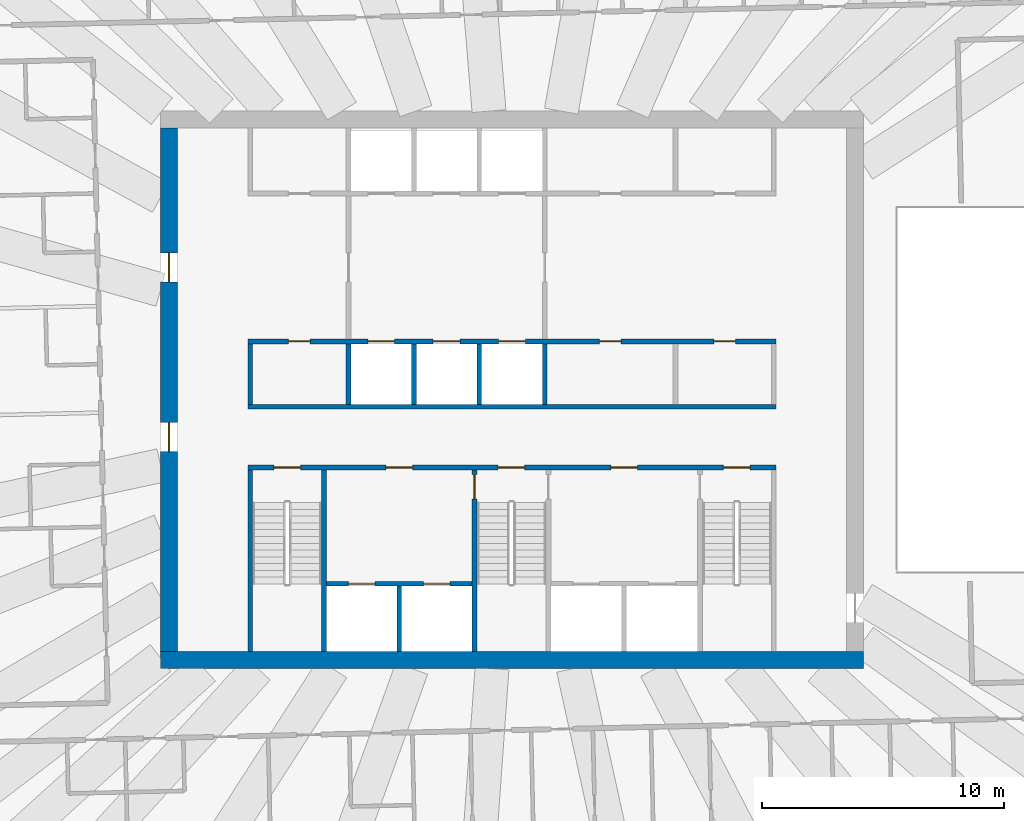
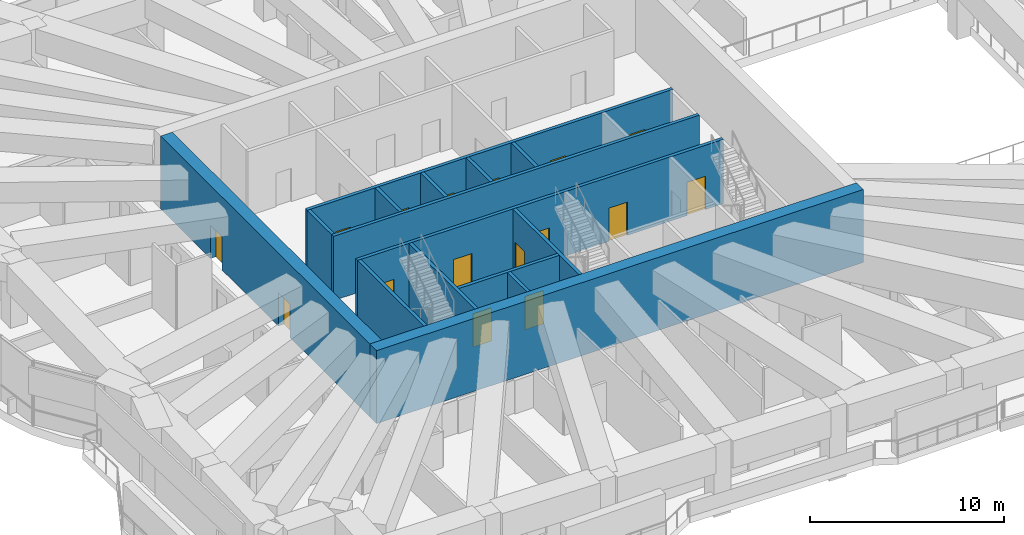
# One storey, part 12 of 21: 16 doors, 15 walls, 16 openings.
"""IFC4 building model written with IfcOpenShell, lengths in metres."""

from ifc_helpers import new_model, si_unit, direction, frame, frame_2d, origin, place, context, subcontext, project, spatial, rectangle, extrude, material, layer, layer_set, type_object, element, fill, save


model = new_model("IFC4")

# Units and contexts
model_context = context("Model", 3, precision=1e-05, world=origin(), true_north=direction((0.0, 1.0)))
body_context = subcontext(model_context, "Body", "Model", "MODEL_VIEW")
ifc_project = project(units=[si_unit("LENGTHUNIT", "METRE"), si_unit("AREAUNIT", "SQUARE_METRE"), si_unit("VOLUMEUNIT", "CUBIC_METRE"), si_unit("PLANEANGLEUNIT", "RADIAN"), si_unit("MASSUNIT", "GRAM", prefix="KILO")], contexts=[model_context])

# Site, building, storey
site_placement = place(None, origin())
site = spatial("IfcSite", under=ifc_project, at=site_placement, CompositionType="ELEMENT")
building_placement = place(site_placement, origin())
building = spatial("IfcBuilding", under=site, at=building_placement, Name="Mangrove Gate Tower", CompositionType="ELEMENT")
storey_placement = place(building_placement, frame((0.0, 0.0, 275.300048828125)))
storey = spatial("IfcBuildingStorey", under=building, at=storey_placement, Name="L70", CompositionType="ELEMENT", Elevation=275.300048828125)

# Walls
ifc_material_1 = material(Name="Concrete C32/40", Category="concrete")
ifc_layer_1 = layer(ifc_material_1, 0.199951171875)
ifc_layer_set_1 = layer_set([ifc_layer_1], Name="Core room wall 200 C32/40")
wall_type_1 = type_object("IfcWallType", Name="Core room wall 200 C32/40", PredefinedType="STANDARD", material=ifc_layer_set_1)
wall_1_placement = place(storey_placement, frame((-10.800048828125, -0.60009765625, 0.0), z_axis=(0.0, 0.0, 1.0), x_axis=(0.0, 1.0, 0.0)))
element("IfcWall", 1, at=wall_1_placement, inside=storey, type_object=wall_type_1, Name="WALL-L70-CORE-19", PredefinedType="STANDARD", context=body_context, shape_type="SweptSolid", body=[
    extrude(rectangle(XDim=2.5, YDim=0.199951171875, at=frame_2d((1.25, 0.0))), origin(), (0.0, 0.0, 1.0), 4.050048828125),
])
ifc_material_2 = material(Name="Concrete C50/60", Category="concrete")
ifc_layer_2 = layer(ifc_material_2, 0.199951171875)
ifc_layer_set_2 = layer_set([ifc_layer_2], Name="Core shaft wall 200 C50/60")
wall_type_2 = type_object("IfcWallType", Name="Core shaft wall 200 C50/60", PredefinedType="SHEAR", material=ifc_layer_set_2)
wall_2_placement = place(storey_placement, frame((-10.89990234375, -0.699951171875, 0.0), z_axis=(0.0, 0.0, 1.0), x_axis=(1.0, 0.0, 0.0)))
element("IfcWall", 2, at=wall_2_placement, inside=storey, type_object=wall_type_2, Name="WALL-L70-CORE-6", PredefinedType="SHEAR", context=body_context, shape_type="SweptSolid", body=[
    extrude(rectangle(XDim=21.7998046875, YDim=0.199951171875, at=frame_2d((10.89990234375, 0.0))), origin(), (0.0, 0.0, 1.0), 4.050048828125),
])

# Wall, openings, doors
wall_3_placement = place(storey_placement, frame((-10.89990234375, 2.0, 0.0), z_axis=(0.0, 0.0, 1.0), x_axis=(1.0, 0.0, 0.0)))
wall_3 = element("IfcWall", 3, at=wall_3_placement, inside=storey, type_object=wall_type_2, Name="WALL-L70-CORE-7", PredefinedType="SHEAR", context=body_context, shape_type="SweptSolid", body=[
    extrude(rectangle(XDim=21.7998046875, YDim=0.199951171875, at=frame_2d((10.89990234375, 0.0))), origin(), (0.0, 0.0, 1.0), 4.050048828125),
])
opening_1_placement = place(wall_3_placement, frame((4.949951171875, 0.0, 0.0)))
opening_1 = element("IfcOpeningElement", 4, at=opening_1_placement, cuts=wall_3, Name="Opening LD", PredefinedType="OPENING", context=body_context, shape_type="SweptSolid", body=[
    extrude(rectangle(XDim=1.10009765625, YDim=2.10009765625, at=frame_2d((0.550048828125, 1.050048828125))), frame((0.0, 0.10986328125, 0.0), z_axis=(0.0, -1.0, 0.0), x_axis=(1.0, 0.0, 0.0)), (0.0, 0.0, 1.0), 0.219970703125),
])
opening_2_placement = place(wall_3_placement, frame((7.64990234375, 0.0, 0.0)))
opening_2 = element("IfcOpeningElement", 5, at=opening_2_placement, cuts=wall_3, Name="Opening LD", PredefinedType="OPENING", context=body_context, shape_type="SweptSolid", body=[
    extrude(rectangle(XDim=1.10009765625, YDim=2.10009765625, at=frame_2d((0.550048828125, 1.050048828125))), frame((0.0, 0.10986328125, 0.0), z_axis=(0.0, -1.0, 0.0), x_axis=(1.0, 0.0, 0.0)), (0.0, 0.0, 1.0), 0.219970703125),
])
opening_3_placement = place(wall_3_placement, frame((10.35009765625, 0.0, 0.0)))
opening_3 = element("IfcOpeningElement", 6, at=opening_3_placement, cuts=wall_3, Name="Opening LD", PredefinedType="OPENING", context=body_context, shape_type="SweptSolid", body=[
    extrude(rectangle(XDim=1.10009765625, YDim=2.10009765625, at=frame_2d((0.550048828125, 1.050048828125))), frame((0.0, 0.10986328125, 0.0), z_axis=(0.0, -1.0, 0.0), x_axis=(1.0, 0.0, 0.0)), (0.0, 0.0, 1.0), 0.219970703125),
])
opening_4_placement = place(wall_3_placement, frame((1.675048828125, 0.0, 0.0)))
opening_4 = element("IfcOpeningElement", 7, at=opening_4_placement, cuts=wall_3, Name="Opening RD", PredefinedType="OPENING", context=body_context, shape_type="SweptSolid", body=[
    extrude(rectangle(XDim=0.89990234375, YDim=2.10009765625, at=frame_2d((0.449951171875, 1.050048828125))), frame((0.0, 0.10986328125, 0.0), z_axis=(0.0, -1.0, 0.0), x_axis=(1.0, 0.0, 0.0)), (0.0, 0.0, 1.0), 0.219970703125),
])
opening_5_placement = place(wall_3_placement, frame((14.5, 0.0, 0.0)))
opening_5 = element("IfcOpeningElement", 8, at=opening_5_placement, cuts=wall_3, Name="Opening RD", PredefinedType="OPENING", context=body_context, shape_type="SweptSolid", body=[
    extrude(rectangle(XDim=0.89990234375, YDim=2.10009765625, at=frame_2d((0.449951171875, 1.050048828125))), frame((0.0, 0.10986328125, 0.0), z_axis=(0.0, -1.0, 0.0), x_axis=(1.0, 0.0, 0.0)), (0.0, 0.0, 1.0), 0.219970703125),
])
opening_6_placement = place(wall_3_placement, frame((19.22509765625, 0.0, 0.0)))
opening_6 = element("IfcOpeningElement", 9, at=opening_6_placement, cuts=wall_3, Name="Opening KD", PredefinedType="OPENING", context=body_context, shape_type="SweptSolid", body=[
    extrude(rectangle(XDim=0.89990234375, YDim=2.10009765625, at=frame_2d((0.449951171875, 1.050048828125))), frame((0.0, 0.10986328125, 0.0), z_axis=(0.0, -1.0, 0.0), x_axis=(1.0, 0.0, 0.0)), (0.0, 0.0, 1.0), 0.219970703125),
])
ifc_material_3 = material(Name="Fire-rated steel door set", Category="steel")
door_type_1 = type_object("IfcDoorType", Name="Core room door FD30S 900x2100", OperationType="SINGLE_SWING_RIGHT", PredefinedType="DOOR", material=ifc_material_3)
door_1_placement = place(opening_6_placement, origin())
door_1 = element("IfcDoor", 10, at=door_1_placement, inside=storey, type_object=door_type_1, Name="Core room door Core WC", OperationType="SINGLE_SWING_RIGHT", OverallHeight=2.10009765625, OverallWidth=0.89990234375, PredefinedType="DOOR", context=body_context, shape_type="SweptSolid", body=[
    extrude(rectangle(XDim=0.89990234375, YDim=2.10009765625, at=frame_2d((0.449951171875, 1.050048828125))), frame((0.0, 0.02490234375, 0.0), z_axis=(0.0, -1.0, 0.0), x_axis=(1.0, 0.0, 0.0)), (0.0, 0.0, 1.0), 0.050048828125),
])
fill(opening_6, door_1)
ifc_material_4 = material(Name="Stainless steel 316", Category="steel")
door_type_2 = type_object("IfcDoorType", Name="Lift landing door 1100x2100", OperationType="SLIDING_TO_LEFT", PredefinedType="DOOR", material=ifc_material_4)
door_2_placement = place(opening_1_placement, origin())
door_2 = element("IfcDoor", 11, at=door_2_placement, inside=storey, type_object=door_type_2, Name="Landing door LD H01", OperationType="SLIDING_TO_LEFT", OverallHeight=2.10009765625, OverallWidth=1.10009765625, PredefinedType="DOOR", context=body_context, shape_type="SweptSolid", body=[
    extrude(rectangle(XDim=1.10009765625, YDim=2.10009765625, at=frame_2d((0.550048828125, 1.050048828125))), frame((0.0, 0.02490234375, 0.0), z_axis=(0.0, -1.0, 0.0), x_axis=(1.0, 0.0, 0.0)), (0.0, 0.0, 1.0), 0.050048828125),
])
fill(opening_1, door_2)
door_3_placement = place(opening_2_placement, origin())
door_3 = element("IfcDoor", 12, at=door_3_placement, inside=storey, type_object=door_type_2, Name="Landing door LD H02", OperationType="SLIDING_TO_LEFT", OverallHeight=2.10009765625, OverallWidth=1.10009765625, PredefinedType="DOOR", context=body_context, shape_type="SweptSolid", body=[
    extrude(rectangle(XDim=1.10009765625, YDim=2.10009765625, at=frame_2d((0.550048828125, 1.050048828125))), frame((0.0, 0.02490234375, 0.0), z_axis=(0.0, -1.0, 0.0), x_axis=(1.0, 0.0, 0.0)), (0.0, 0.0, 1.0), 0.050048828125),
])
fill(opening_2, door_3)
door_4_placement = place(opening_3_placement, origin())
door_4 = element("IfcDoor", 13, at=door_4_placement, inside=storey, type_object=door_type_2, Name="Landing door LD H03", OperationType="SLIDING_TO_LEFT", OverallHeight=2.10009765625, OverallWidth=1.10009765625, PredefinedType="DOOR", context=body_context, shape_type="SweptSolid", body=[
    extrude(rectangle(XDim=1.10009765625, YDim=2.10009765625, at=frame_2d((0.550048828125, 1.050048828125))), frame((0.0, 0.02490234375, 0.0), z_axis=(0.0, -1.0, 0.0), x_axis=(1.0, 0.0, 0.0)), (0.0, 0.0, 1.0), 0.050048828125),
])
fill(opening_3, door_4)
ifc_material_5 = material(Name="Fire-rated steel door set", Category="steel")
door_type_3 = type_object("IfcDoorType", Name="Riser door FD30S 900x2100", OperationType="SINGLE_SWING_LEFT", PredefinedType="DOOR", material=ifc_material_5)
door_5_placement = place(opening_4_placement, origin())
door_5 = element("IfcDoor", 14, at=door_5_placement, inside=storey, type_object=door_type_3, Name="Riser door Switch room", OperationType="SINGLE_SWING_LEFT", OverallHeight=2.10009765625, OverallWidth=0.89990234375, PredefinedType="DOOR", context=body_context, shape_type="SweptSolid", body=[
    extrude(rectangle(XDim=0.89990234375, YDim=2.10009765625, at=frame_2d((0.449951171875, 1.050048828125))), frame((0.0, 0.02490234375, 0.0), z_axis=(0.0, -1.0, 0.0), x_axis=(1.0, 0.0, 0.0)), (0.0, 0.0, 1.0), 0.050048828125),
])
fill(opening_4, door_5)
door_6_placement = place(opening_5_placement, origin())
door_6 = element("IfcDoor", 15, at=door_6_placement, inside=storey, type_object=door_type_3, Name="Riser door Comms room", OperationType="SINGLE_SWING_LEFT", OverallHeight=2.10009765625, OverallWidth=0.89990234375, PredefinedType="DOOR", context=body_context, shape_type="SweptSolid", body=[
    extrude(rectangle(XDim=0.89990234375, YDim=2.10009765625, at=frame_2d((0.449951171875, 1.050048828125))), frame((0.0, 0.02490234375, 0.0), z_axis=(0.0, -1.0, 0.0), x_axis=(1.0, 0.0, 0.0)), (0.0, 0.0, 1.0), 0.050048828125),
])
fill(opening_5, door_6)

wall_4_placement = place(storey_placement, frame((-7.64990234375, -8.0, 0.0), z_axis=(0.0, 0.0, 1.0), x_axis=(1.0, 0.0, 0.0)))
wall_4 = element("IfcWall", 16, at=wall_4_placement, inside=storey, type_object=wall_type_2, Name="WALL-L70-CORE-15", PredefinedType="SHEAR", context=body_context, shape_type="SweptSolid", body=[
    extrude(rectangle(XDim=6.0, YDim=0.199951171875, at=frame_2d((3.0, 0.0))), origin(), (0.0, 0.0, 1.0), 4.050048828125),
])
opening_7_placement = place(wall_4_placement, frame((0.89990234375, 0.0, 0.0)))
opening_7 = element("IfcOpeningElement", 17, at=opening_7_placement, cuts=wall_4, Name="Opening LD", PredefinedType="OPENING", context=body_context, shape_type="SweptSolid", body=[
    extrude(rectangle(XDim=1.10009765625, YDim=2.10009765625, at=frame_2d((0.550048828125, 1.050048828125))), frame((0.0, 0.10986328125, 0.0), z_axis=(0.0, -1.0, 0.0), x_axis=(1.0, 0.0, 0.0)), (0.0, 0.0, 1.0), 0.219970703125),
])
opening_8_placement = place(wall_4_placement, frame((4.0, 0.0, 0.0)))
opening_8 = element("IfcOpeningElement", 18, at=opening_8_placement, cuts=wall_4, Name="Opening LD", PredefinedType="OPENING", context=body_context, shape_type="SweptSolid", body=[
    extrude(rectangle(XDim=1.10009765625, YDim=2.10009765625, at=frame_2d((0.550048828125, 1.050048828125))), frame((0.0, 0.10986328125, 0.0), z_axis=(0.0, -1.0, 0.0), x_axis=(1.0, 0.0, 0.0)), (0.0, 0.0, 1.0), 0.219970703125),
])
door_7_placement = place(opening_7_placement, origin())
door_7 = element("IfcDoor", 19, at=door_7_placement, inside=storey, type_object=door_type_2, Name="Landing door LD SVL1", OperationType="SLIDING_TO_LEFT", OverallHeight=2.10009765625, OverallWidth=1.10009765625, PredefinedType="DOOR", context=body_context, shape_type="SweptSolid", body=[
    extrude(rectangle(XDim=1.10009765625, YDim=2.10009765625, at=frame_2d((0.550048828125, 1.050048828125))), frame((0.0, 0.02490234375, 0.0), z_axis=(0.0, -1.0, 0.0), x_axis=(1.0, 0.0, 0.0)), (0.0, 0.0, 1.0), 0.050048828125),
])
fill(opening_7, door_7)
door_8_placement = place(opening_8_placement, origin())
door_8 = element("IfcDoor", 20, at=door_8_placement, inside=storey, type_object=door_type_2, Name="Landing door LD SVL2", OperationType="SLIDING_TO_LEFT", OverallHeight=2.10009765625, OverallWidth=1.10009765625, PredefinedType="DOOR", context=body_context, shape_type="SweptSolid", body=[
    extrude(rectangle(XDim=1.10009765625, YDim=2.10009765625, at=frame_2d((0.550048828125, 1.050048828125))), frame((0.0, 0.02490234375, 0.0), z_axis=(0.0, -1.0, 0.0), x_axis=(1.0, 0.0, 0.0)), (0.0, 0.0, 1.0), 0.050048828125),
])
fill(opening_8, door_8)

# Walls
wall_5_placement = place(storey_placement, frame((-4.64990234375, -10.800048828125, 0.0), z_axis=(0.0, 0.0, 1.0), x_axis=(0.0, 1.0, 0.0)))
element("IfcWall", 21, at=wall_5_placement, inside=storey, type_object=wall_type_2, Name="WALL-L70-CORE-16", PredefinedType="SHEAR", context=body_context, shape_type="SweptSolid", body=[
    extrude(rectangle(XDim=2.699951171875, YDim=0.199951171875, at=frame_2d((1.35009765625, 0.0))), origin(), (0.0, 0.0, 1.0), 4.050048828125),
])
for number, where, z_axis, x_axis, name in (
    (22, (-6.75, -0.60009765625, 0.0), (0.0, 0.0, 1.0), (0.0, 1.0, 0.0), "WALL-L70-CORE-20"),
    (23, (-4.050048828125, -0.60009765625, 0.0), (0.0, 0.0, 1.0), (0.0, 1.0, 0.0), "WALL-L70-CORE-21"),
    (24, (-1.35009765625, -0.60009765625, 0.0), (0.0, 0.0, 1.0), (0.0, 1.0, 0.0), "WALL-L70-CORE-22"),
    (25, (1.35009765625, -0.60009765625, 0.0), (0.0, 0.0, 1.0), (0.0, 1.0, 0.0), "WALL-L70-CORE-23"),
):
    element("IfcWall", number, at=place(storey_placement, frame(where, z_axis=z_axis, x_axis=x_axis)), inside=storey, type_object=wall_type_2, Name=name, PredefinedType="SHEAR", context=body_context, shape_type="SweptSolid", body=[
        extrude(rectangle(XDim=2.5, YDim=0.199951171875, at=frame_2d((1.25, 0.0))), origin(), (0.0, 0.0, 1.0), 4.050048828125),
    ])

# Wall, openings, doors
ifc_material_6 = material(Name="Concrete C50/60", Category="concrete")
ifc_layer_3 = layer(ifc_material_6, 0.199951171875)
ifc_layer_set_3 = layer_set([ifc_layer_3], Name="Core stair wall 200 C50/60")
wall_type_3 = type_object("IfcWallType", Name="Core stair wall 200 C50/60", PredefinedType="SHEAR", material=ifc_layer_set_3)
wall_6_placement = place(storey_placement, frame((-10.89990234375, -3.199951171875, 0.0), z_axis=(0.0, 0.0, 1.0), x_axis=(1.0, 0.0, 0.0)))
wall_6 = element("IfcWall", 26, at=wall_6_placement, inside=storey, type_object=wall_type_3, Name="WALL-L70-CORE-5", PredefinedType="SHEAR", context=body_context, shape_type="SweptSolid", body=[
    extrude(rectangle(XDim=21.7998046875, YDim=0.199951171875, at=frame_2d((10.89990234375, 0.0))), origin(), (0.0, 0.0, 1.0), 4.050048828125),
])
opening_9_placement = place(wall_6_placement, frame((1.074951171875, 0.0, 0.0)))
opening_9 = element("IfcOpeningElement", 27, at=opening_9_placement, cuts=wall_6, Name="Opening STD11", PredefinedType="OPENING", context=body_context, shape_type="SweptSolid", body=[
    extrude(rectangle(XDim=1.10009765625, YDim=2.10009765625, at=frame_2d((0.550048828125, 1.050048828125))), frame((0.0, 0.10986328125, 0.0), z_axis=(0.0, -1.0, 0.0), x_axis=(1.0, 0.0, 0.0)), (0.0, 0.0, 1.0), 0.219970703125),
])
opening_10_placement = place(wall_6_placement, frame((10.324951171875, 0.0, 0.0)))
opening_10 = element("IfcOpeningElement", 28, at=opening_10_placement, cuts=wall_6, Name="Opening STD11", PredefinedType="OPENING", context=body_context, shape_type="SweptSolid", body=[
    extrude(rectangle(XDim=1.10009765625, YDim=2.10009765625, at=frame_2d((0.550048828125, 1.050048828125))), frame((0.0, 0.10986328125, 0.0), z_axis=(0.0, -1.0, 0.0), x_axis=(1.0, 0.0, 0.0)), (0.0, 0.0, 1.0), 0.219970703125),
])
opening_11_placement = place(wall_6_placement, frame((19.625, 0.0, 0.0)))
opening_11 = element("IfcOpeningElement", 29, at=opening_11_placement, cuts=wall_6, Name="Opening STD11", PredefinedType="OPENING", context=body_context, shape_type="SweptSolid", body=[
    extrude(rectangle(XDim=1.10009765625, YDim=2.10009765625, at=frame_2d((0.550048828125, 1.050048828125))), frame((0.0, 0.10986328125, 0.0), z_axis=(0.0, -1.0, 0.0), x_axis=(1.0, 0.0, 0.0)), (0.0, 0.0, 1.0), 0.219970703125),
])
opening_12_placement = place(wall_6_placement, frame((5.699951171875, 0.0, 0.0)))
opening_12 = element("IfcOpeningElement", 30, at=opening_12_placement, cuts=wall_6, Name="Opening FL", PredefinedType="OPENING", context=body_context, shape_type="SweptSolid", body=[
    extrude(rectangle(XDim=1.10009765625, YDim=2.10009765625, at=frame_2d((0.550048828125, 1.050048828125))), frame((0.0, 0.10986328125, 0.0), z_axis=(0.0, -1.0, 0.0), x_axis=(1.0, 0.0, 0.0)), (0.0, 0.0, 1.0), 0.219970703125),
])
opening_13_placement = place(wall_6_placement, frame((14.97509765625, 0.0, 0.0)))
opening_13 = element("IfcOpeningElement", 31, at=opening_13_placement, cuts=wall_6, Name="Opening FL", PredefinedType="OPENING", context=body_context, shape_type="SweptSolid", body=[
    extrude(rectangle(XDim=1.10009765625, YDim=2.10009765625, at=frame_2d((0.550048828125, 1.050048828125))), frame((0.0, 0.10986328125, 0.0), z_axis=(0.0, -1.0, 0.0), x_axis=(1.0, 0.0, 0.0)), (0.0, 0.0, 1.0), 0.219970703125),
])
ifc_material_7 = material(Name="Fire-rated steel door set", Category="steel")
door_type_4 = type_object("IfcDoorType", Name="Lobby door FD60 1100x2100", OperationType="SINGLE_SWING_LEFT", PredefinedType="DOOR", material=ifc_material_7)
door_9_placement = place(opening_12_placement, origin())
door_9 = element("IfcDoor", 32, at=door_9_placement, inside=storey, type_object=door_type_4, Name="Lobby door service lobby", OperationType="SINGLE_SWING_LEFT", OverallHeight=2.10009765625, OverallWidth=1.10009765625, PredefinedType="DOOR", context=body_context, shape_type="SweptSolid", body=[
    extrude(rectangle(XDim=1.10009765625, YDim=2.10009765625, at=frame_2d((0.550048828125, 1.050048828125))), frame((0.0, 0.02490234375, 0.0), z_axis=(0.0, -1.0, 0.0), x_axis=(1.0, 0.0, 0.0)), (0.0, 0.0, 1.0), 0.050048828125),
])
fill(opening_12, door_9)
door_10_placement = place(opening_13_placement, origin())
door_10 = element("IfcDoor", 33, at=door_10_placement, inside=storey, type_object=door_type_4, Name="Lobby door fire-fighting lobby", OperationType="SINGLE_SWING_LEFT", OverallHeight=2.10009765625, OverallWidth=1.10009765625, PredefinedType="DOOR", context=body_context, shape_type="SweptSolid", body=[
    extrude(rectangle(XDim=1.10009765625, YDim=2.10009765625, at=frame_2d((0.550048828125, 1.050048828125))), frame((0.0, 0.02490234375, 0.0), z_axis=(0.0, -1.0, 0.0), x_axis=(1.0, 0.0, 0.0)), (0.0, 0.0, 1.0), 0.050048828125),
])
fill(opening_13, door_10)
ifc_material_8 = material(Name="Fire-rated steel door set", Category="steel")
door_type_5 = type_object("IfcDoorType", Name="Stair door FD60 1100x2100", OperationType="SINGLE_SWING_RIGHT", PredefinedType="DOOR", material=ifc_material_8)
door_11_placement = place(opening_9_placement, origin())
door_11 = element("IfcDoor", 34, at=door_11_placement, inside=storey, type_object=door_type_5, Name="Stair door Stair 1", OperationType="SINGLE_SWING_RIGHT", OverallHeight=2.10009765625, OverallWidth=1.10009765625, PredefinedType="DOOR", context=body_context, shape_type="SweptSolid", body=[
    extrude(rectangle(XDim=1.10009765625, YDim=2.10009765625, at=frame_2d((0.550048828125, 1.050048828125))), frame((0.0, 0.02490234375, 0.0), z_axis=(0.0, -1.0, 0.0), x_axis=(1.0, 0.0, 0.0)), (0.0, 0.0, 1.0), 0.050048828125),
])
fill(opening_9, door_11)
door_12_placement = place(opening_10_placement, origin())
door_12 = element("IfcDoor", 35, at=door_12_placement, inside=storey, type_object=door_type_5, Name="Stair door Stair 2", OperationType="SINGLE_SWING_RIGHT", OverallHeight=2.10009765625, OverallWidth=1.10009765625, PredefinedType="DOOR", context=body_context, shape_type="SweptSolid", body=[
    extrude(rectangle(XDim=1.10009765625, YDim=2.10009765625, at=frame_2d((0.550048828125, 1.050048828125))), frame((0.0, 0.02490234375, 0.0), z_axis=(0.0, -1.0, 0.0), x_axis=(1.0, 0.0, 0.0)), (0.0, 0.0, 1.0), 0.050048828125),
])
fill(opening_10, door_12)
door_13_placement = place(opening_11_placement, origin())
door_13 = element("IfcDoor", 36, at=door_13_placement, inside=storey, type_object=door_type_5, Name="Stair door Stair 3", OperationType="SINGLE_SWING_RIGHT", OverallHeight=2.10009765625, OverallWidth=1.10009765625, PredefinedType="DOOR", context=body_context, shape_type="SweptSolid", body=[
    extrude(rectangle(XDim=1.10009765625, YDim=2.10009765625, at=frame_2d((0.550048828125, 1.050048828125))), frame((0.0, 0.02490234375, 0.0), z_axis=(0.0, -1.0, 0.0), x_axis=(1.0, 0.0, 0.0)), (0.0, 0.0, 1.0), 0.050048828125),
])
fill(opening_11, door_13)

# Walls
for number, where, z_axis, x_axis, name in (
    (37, (-10.800048828125, -10.800048828125, 0.0), (0.0, 0.0, 1.0), (0.0, 1.0, 0.0), "WALL-L70-CORE-9"),
    (38, (-7.75, -10.800048828125, 0.0), (0.0, 0.0, 1.0), (0.0, 1.0, 0.0), "WALL-L70-CORE-10"),
):
    element("IfcWall", number, at=place(storey_placement, frame(where, z_axis=z_axis, x_axis=x_axis)), inside=storey, type_object=wall_type_3, Name=name, PredefinedType="SHEAR", context=body_context, shape_type="SweptSolid", body=[
        extrude(rectangle(XDim=7.5, YDim=0.199951171875, at=frame_2d((3.75, 0.0))), origin(), (0.0, 0.0, 1.0), 4.050048828125),
    ])

# Wall, opening, door
wall_7_placement = place(storey_placement, frame((-1.550048828125, -10.800048828125, 0.0), z_axis=(0.0, 0.0, 1.0), x_axis=(0.0, 1.0, 0.0)))
wall_7 = element("IfcWall", 39, at=wall_7_placement, inside=storey, type_object=wall_type_3, Name="WALL-L70-CORE-11", PredefinedType="SHEAR", context=body_context, shape_type="SweptSolid", body=[
    extrude(rectangle(XDim=7.5, YDim=0.199951171875, at=frame_2d((3.75, 0.0))), origin(), (0.0, 0.0, 1.0), 4.050048828125),
])
opening_14_placement = place(wall_7_placement, frame((6.300048828125, 0.0, 0.0)))
opening_14 = element("IfcOpeningElement", 40, at=opening_14_placement, cuts=wall_7, Name="Opening STD10", PredefinedType="OPENING", context=body_context, shape_type="SweptSolid", body=[
    extrude(rectangle(XDim=1.0, YDim=2.10009765625, at=frame_2d((0.5, 1.050048828125))), frame((0.0, 0.10986328125, 0.0), z_axis=(0.0, -1.0, 0.0), x_axis=(1.0, 0.0, 0.0)), (0.0, 0.0, 1.0), 0.219970703125),
])
ifc_material_9 = material(Name="Fire-rated steel door set", Category="steel")
door_type_6 = type_object("IfcDoorType", Name="Stair door FD60 1000x2100", OperationType="SINGLE_SWING_RIGHT", PredefinedType="DOOR", material=ifc_material_9)
door_14_placement = place(opening_14_placement, origin())
door_14 = element("IfcDoor", 41, at=door_14_placement, inside=storey, type_object=door_type_6, Name="Stair door Stair 2 from service lobby", OperationType="SINGLE_SWING_RIGHT", OverallHeight=2.10009765625, OverallWidth=1.0, PredefinedType="DOOR", context=body_context, shape_type="SweptSolid", body=[
    extrude(rectangle(XDim=1.0, YDim=2.10009765625, at=frame_2d((0.5, 1.050048828125))), frame((0.0, 0.02490234375, 0.0), z_axis=(0.0, -1.0, 0.0), x_axis=(1.0, 0.0, 0.0)), (0.0, 0.0, 1.0), 0.050048828125),
])
fill(opening_14, door_14)

# Wall
ifc_material_10 = material(Name="Concrete C50/60", Category="concrete")
ifc_layer_4 = layer(ifc_material_10, 0.699951171875)
ifc_layer_set_4 = layer_set([ifc_layer_4], Name="Core wall 700 C50/60")
wall_type_4 = type_object("IfcWallType", Name="Core wall 700 C50/60", PredefinedType="SHEAR", material=ifc_layer_set_4)
wall_8_placement = place(storey_placement, frame((-14.5, -11.14990234375, 0.0), z_axis=(0.0, 0.0, 1.0), x_axis=(1.0, 0.0, 0.0)))
element("IfcWall", 42, at=wall_8_placement, inside=storey, type_object=wall_type_4, Name="WALL-L70-CORE-1", PredefinedType="SHEAR", context=body_context, shape_type="SweptSolid", body=[
    extrude(rectangle(XDim=29.0, YDim=0.699951171875, at=frame_2d((14.5, 0.0))), origin(), (0.0, 0.0, 1.0), 4.599853515625),
])

# Wall, openings, doors
wall_9_placement = place(storey_placement, frame((-14.14990234375, -10.800048828125, 0.0), z_axis=(0.0, 0.0, 1.0), x_axis=(0.0, 1.0, 0.0)))
wall_9 = element("IfcWall", 43, at=wall_9_placement, inside=storey, type_object=wall_type_4, Name="WALL-L70-CORE-3", PredefinedType="SHEAR", context=body_context, shape_type="SweptSolid", body=[
    extrude(rectangle(XDim=21.60009765625, YDim=0.699951171875, at=frame_2d((10.800048828125, 0.0))), origin(), (0.0, 0.0, 1.0), 4.599853515625),
])
opening_15_placement = place(wall_9_placement, frame((8.25, 0.0, 0.0)))
opening_15 = element("IfcOpeningElement", 44, at=opening_15_placement, cuts=wall_9, Name="Opening CD", PredefinedType="OPENING", context=body_context, shape_type="SweptSolid", body=[
    extrude(rectangle(XDim=1.199951171875, YDim=2.10009765625, at=frame_2d((0.60009765625, 1.050048828125))), frame((0.0, 0.35986328125, 0.0), z_axis=(0.0, -1.0, 0.0), x_axis=(1.0, 0.0, 0.0)), (0.0, 0.0, 1.0), 0.719970703125),
])
opening_16_placement = place(wall_9_placement, frame((15.25, 0.0, 0.0)))
opening_16 = element("IfcOpeningElement", 45, at=opening_16_placement, cuts=wall_9, Name="Opening CD", PredefinedType="OPENING", context=body_context, shape_type="SweptSolid", body=[
    extrude(rectangle(XDim=1.199951171875, YDim=2.10009765625, at=frame_2d((0.60009765625, 1.050048828125))), frame((0.0, 0.35986328125, 0.0), z_axis=(0.0, -1.0, 0.0), x_axis=(1.0, 0.0, 0.0)), (0.0, 0.0, 1.0), 0.719970703125),
])
ifc_material_11 = material(Name="Fire-rated steel door set", Category="steel")
door_type_7 = type_object("IfcDoorType", Name="Core ring door FD60 1200x2100", OperationType="DOUBLE_DOOR_SINGLE_SWING", PredefinedType="DOOR", material=ifc_material_11)
door_15_placement = place(opening_15_placement, origin())
door_15 = element("IfcDoor", 46, at=door_15_placement, inside=storey, type_object=door_type_7, Name="Core ring door W1", OperationType="DOUBLE_DOOR_SINGLE_SWING", OverallHeight=2.10009765625, OverallWidth=1.199951171875, PredefinedType="DOOR", context=body_context, shape_type="SweptSolid", body=[
    extrude(rectangle(XDim=1.199951171875, YDim=2.10009765625, at=frame_2d((0.60009765625, 1.050048828125))), frame((0.0, 0.02490234375, 0.0), z_axis=(0.0, -1.0, 0.0), x_axis=(1.0, 0.0, 0.0)), (0.0, 0.0, 1.0), 0.050048828125),
])
fill(opening_15, door_15)
door_16_placement = place(opening_16_placement, origin())
door_16 = element("IfcDoor", 47, at=door_16_placement, inside=storey, type_object=door_type_7, Name="Core ring door W2", OperationType="DOUBLE_DOOR_SINGLE_SWING", OverallHeight=2.10009765625, OverallWidth=1.199951171875, PredefinedType="DOOR", context=body_context, shape_type="SweptSolid", body=[
    extrude(rectangle(XDim=1.199951171875, YDim=2.10009765625, at=frame_2d((0.60009765625, 1.050048828125))), frame((0.0, 0.02490234375, 0.0), z_axis=(0.0, -1.0, 0.0), x_axis=(1.0, 0.0, 0.0)), (0.0, 0.0, 1.0), 0.050048828125),
])
fill(opening_16, door_16)

save(model, "model.ifc")
